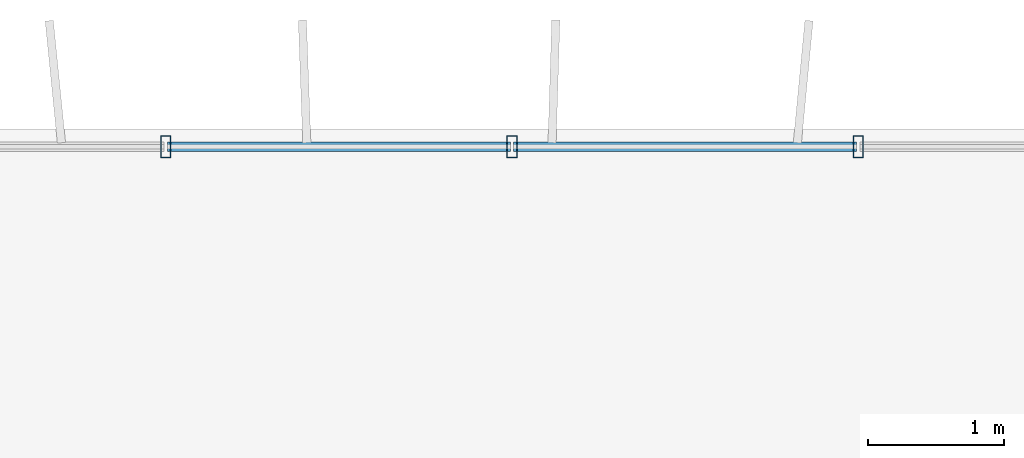
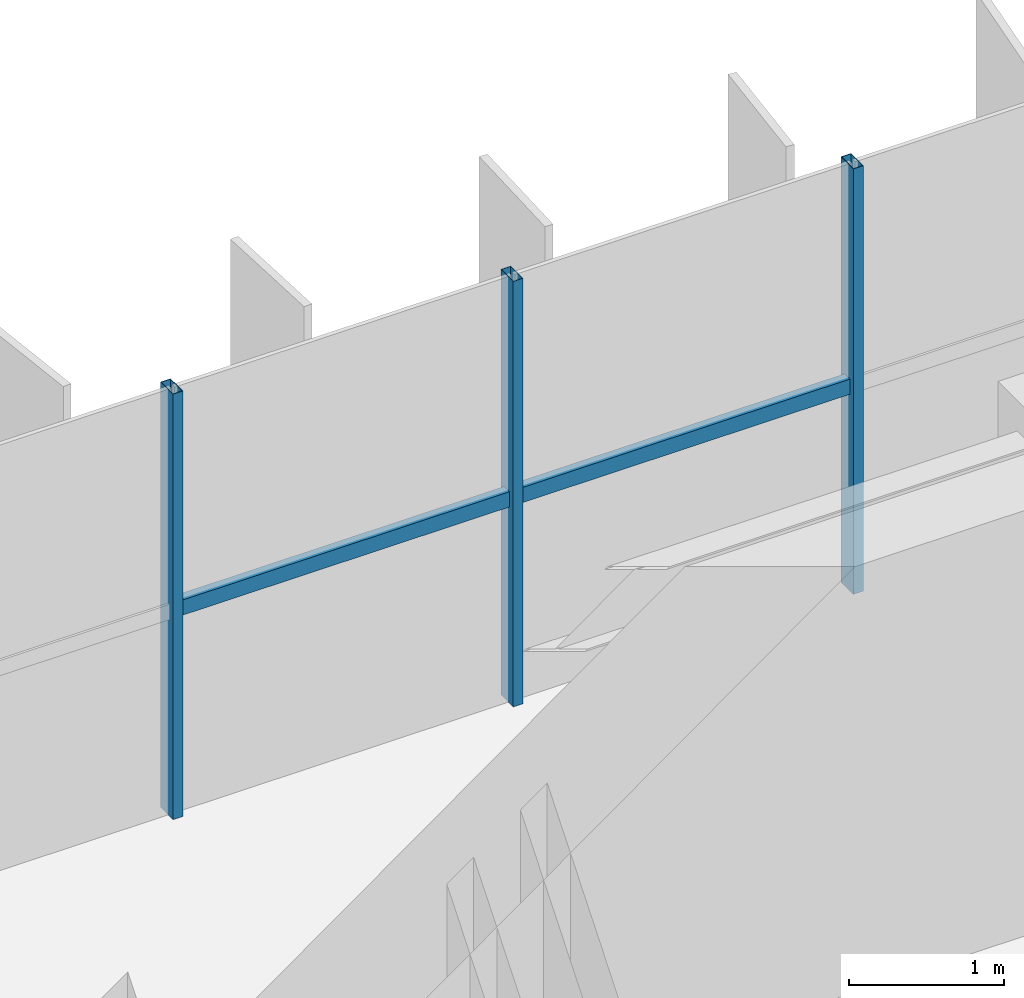
# One storey, part 8 of 23: 5 members, 1 element without a shape of its own.
"""IFC4 building model written with IfcOpenShell, lengths in metres."""

import ifcopenshell
import ifcopenshell.guid

model = None  # the IFC model being written
_history = None  # IfcOwnerHistory: only IFC2X3 demands one
_inside = {}  # id of a spatial element -> (the spatial element, [elements in it])
_under = {}  # id of a project, library or spatial element -> (it, [spatial elements below it])
_declared = {}  # id of a project -> (the project, [libraries it declares])
_typed = {}  # id of a type object -> (the type object, [elements of that type])
_made_of = {}  # id of a material, layer set ... -> (it, [elements and type objects made of it])


def new_model(schema):
    """Start an empty IFC model of exactly this schema.

    Asked for "IFC4X3", IfcOpenShell would pick the latest addendum, in which some entities
    have other attributes; the version numbers below select the first issue.
    IFC2X3 requires an IfcOwnerHistory on every rooted entity: one is made here for all.
    """
    global model, _history
    if schema == "IFC4X3":
        model = ifcopenshell.file(schema_version=(4, 3, 0, 0))
    else:
        model = ifcopenshell.file(schema=schema)
    _inside.clear()
    _under.clear()
    _declared.clear()
    _typed.clear()
    _made_of.clear()
    _history = None
    if model.schema == "IFC2X3":
        org = make("IfcOrganization", Name="unknown")
        user = make(
            "IfcPersonAndOrganization",
            ThePerson=make("IfcPerson", FamilyName="unknown"),
            TheOrganization=org,
        )
        app = make(
            "IfcApplication",
            ApplicationDeveloper=org,
            Version="unknown",
            ApplicationFullName="unknown",
            ApplicationIdentifier="unknown",
        )
        _history = make(
            "IfcOwnerHistory",
            OwningUser=user,
            OwningApplication=app,
            ChangeAction="ADDED",
            CreationDate=0,
        )
    return model


def make(cls, **values):
    """One entity of the class cls with the attributes given. An attribute that is None is left unset."""
    return model.create_entity(
        cls, **{name: value for name, value in values.items() if value is not None}
    )


def rooted(cls, **values):
    """An entity with a GlobalId (a new one), such as an element, a storey or a relation."""
    return make(cls, GlobalId=ifcopenshell.guid.new(), OwnerHistory=_history, **values)


def si_unit(unit_type, name, prefix=None):
    """IfcSIUnit, for example si_unit("LENGTHUNIT", "METRE", prefix="MILLI")."""
    return make("IfcSIUnit", UnitType=unit_type, Prefix=prefix, Name=name)


def assignment(units):
    """IfcUnitAssignment: the units of a project."""
    return None if units is None else make("IfcUnitAssignment", Units=units)


def point(xyz):
    """IfcCartesianPoint."""
    return None if xyz is None else make("IfcCartesianPoint", Coordinates=xyz)


def direction(xyz):
    """IfcDirection."""
    return None if xyz is None else make("IfcDirection", DirectionRatios=xyz)


def frame(location, z_axis=None, x_axis=None):
    """IfcAxis2Placement3D, a coordinate frame: its origin and axes. An axis left out is left unset."""
    return make(
        "IfcAxis2Placement3D",
        Location=point(location),
        Axis=direction(z_axis),
        RefDirection=direction(x_axis),
    )


def frame_2d(location, x_axis=None):
    """IfcAxis2Placement2D, a coordinate frame in the plane: its origin and x axis."""
    return make(
        "IfcAxis2Placement2D", Location=point(location), RefDirection=direction(x_axis)
    )


def origin():
    """The frame at (0, 0, 0) with its axes left unset."""
    return frame((0.0, 0.0, 0.0))


def origin_2d():
    """The frame at (0, 0) in the plane with its x axis left unset."""
    return frame_2d((0.0, 0.0))


def place(relative_to, where):
    """IfcLocalPlacement: puts the frame where relative to a parent placement (None: the world)."""
    return make(
        "IfcLocalPlacement", PlacementRelTo=relative_to, RelativePlacement=where
    )


def context(
    kind, dimensions, precision=None, world=None, true_north=None, identifier=None
):
    """IfcGeometricRepresentationContext, for example the 3D "Model" context."""
    return make(
        "IfcGeometricRepresentationContext",
        ContextIdentifier=identifier,
        ContextType=kind,
        CoordinateSpaceDimension=dimensions,
        Precision=precision,
        WorldCoordinateSystem=world,
        TrueNorth=true_north,
    )


def subcontext(parent, identifier, kind, view, scale=None):
    """IfcGeometricRepresentationSubContext, for example "Body" below "Model"."""
    return make(
        "IfcGeometricRepresentationSubContext",
        ContextIdentifier=identifier,
        ContextType=kind,
        ParentContext=parent,
        TargetScale=scale,
        TargetView=view,
    )


def project(units=None, contexts=None):
    """IfcProject with its units and contexts."""
    return rooted(
        "IfcProject",
        Name="project",
        RepresentationContexts=contexts,
        UnitsInContext=assignment(units),
    )


def spatial(cls, under=None, at=None, **own):
    """A site, building, storey or space (cls), placed at a placement, below another one or the project."""
    s = rooted(cls, ObjectPlacement=at, **own)
    if under is not None:
        _under.setdefault(under.id(), (under, []))[1].append(s)
    return s


def profile(cls, at=None, kind="AREA", **sizes):
    """A parametric profile (cls). Its sizes go by their IFC names, for example OverallWidth=200.0."""
    return make(cls, ProfileType=kind, Position=at, **sizes)


def hollow_rectangle(**sizes):
    """IfcRectangleHollowProfileDef."""
    return profile("IfcRectangleHollowProfileDef", **sizes)


def extrude(swept, where, along, depth):
    """IfcExtrudedAreaSolid: the profile swept, set in the frame where, extruded along a direction by depth."""
    return make(
        "IfcExtrudedAreaSolid",
        SweptArea=swept,
        Position=where,
        ExtrudedDirection=direction(along),
        Depth=depth,
    )


def shape(context_of_items, identifier, shape_type, items):
    """IfcShapeRepresentation: the items that make up one representation, for example the "Body"."""
    return make(
        "IfcShapeRepresentation",
        ContextOfItems=context_of_items,
        RepresentationIdentifier=identifier,
        RepresentationType=shape_type,
        Items=items,
    )


def source(mapping_origin, context_of_items, identifier, shape_type, items):
    """IfcRepresentationMap: a shape defined once, which mapped items show again and again."""
    return make(
        "IfcRepresentationMap",
        MappingOrigin=mapping_origin,
        MappedRepresentation=shape(context_of_items, identifier, shape_type, items),
    )


def transform(
    local_origin,
    x_axis=None,
    y_axis=None,
    z_axis=None,
    scale=None,
    scale2=None,
    scale3=None,
    uniform=True,
):
    """IfcCartesianTransformationOperator3D, or its non-uniform kind. x_axis, y_axis, z_axis: its Axis1, 2, 3."""
    if uniform:
        return make(
            "IfcCartesianTransformationOperator3D",
            Axis1=direction(x_axis),
            Axis2=direction(y_axis),
            LocalOrigin=point(local_origin),
            Scale=scale,
            Axis3=direction(z_axis),
        )
    return make(
        "IfcCartesianTransformationOperator3DnonUniform",
        Axis1=direction(x_axis),
        Axis2=direction(y_axis),
        LocalOrigin=point(local_origin),
        Scale=scale,
        Axis3=direction(z_axis),
        Scale2=scale2,
        Scale3=scale3,
    )


def mapped(mapping_source, mapping_target):
    """IfcMappedItem: shows the shape of a source again, moved by a transform."""
    return make(
        "IfcMappedItem", MappingSource=mapping_source, MappingTarget=mapping_target
    )


def material(Name=None, Category=None):
    """IfcMaterial."""
    return make("IfcMaterial", Name=Name, Category=Category)


def material_profile(
    of_material, cross_section, Name=None, Category=None, Priority=None
):
    """IfcMaterialProfile: a cross section and its material."""
    return make(
        "IfcMaterialProfile",
        Name=Name,
        Material=of_material,
        Profile=cross_section,
        Priority=Priority,
        Category=Category,
    )


def profile_set(profiles, Name=None, composite=None):
    """IfcMaterialProfileSet."""
    return make(
        "IfcMaterialProfileSet",
        Name=Name,
        MaterialProfiles=profiles,
        CompositeProfile=composite,
    )


def made_of(thing, what):
    """Note that an element or type object is made of a material, layer set ...; save() writes the relation."""
    if what is not None:
        _made_of.setdefault(what.id(), (what, []))[1].append(thing)
    return thing


def type_object(cls, material=None, **own):
    """A type object (cls), such as IfcWallType, which elements share."""
    return made_of(rooted(cls, **own), material)


def element(
    cls,
    number,
    at=None,
    inside=None,
    cuts=None,
    type_object=None,
    material=None,
    context=None,
    identifier="Body",
    shape_type=None,
    held_by="IfcProductDefinitionShape",
    body=None,
    shapes=None,
    **own,
):
    """One element of the class cls, such as IfcWall. Its Tag is "e" and its number.

    at: its placement. inside: the storey or other place that contains it. cuts: it is an
    opening in that element (IfcRelVoidsElement). A single representation is given by context,
    identifier, shape_type and body (its items); several are given by shapes. held_by: the class
    of the entity that holds the representations. save() writes the other relations.
    """
    e = rooted(cls, Tag="e%d" % number, ObjectPlacement=at, **own)
    if body is not None:
        shapes = [shape(context, identifier, shape_type, body)]
    if shapes is not None:
        e.Representation = make(held_by, Representations=shapes)
    if inside is not None:
        _inside.setdefault(inside.id(), (inside, []))[1].append(e)
    if cuts is not None:
        rooted(
            "IfcRelVoidsElement", RelatingBuildingElement=cuts, RelatedOpeningElement=e
        )
    if type_object is not None:
        _typed.setdefault(type_object.id(), (type_object, []))[1].append(e)
    return made_of(e, material)


def aggregate(whole, parts):
    """IfcRelAggregates: a whole, such as a stair, and the parts it consists of."""
    return rooted("IfcRelAggregates", RelatingObject=whole, RelatedObjects=parts)


def save(model, path):
    """Write the relations noted so far, then the file.

    IfcRelAggregates (storeys below a building ...), IfcRelContainedInSpatialStructure (elements
    in a storey), IfcRelDefinesByType, IfcRelAssociatesMaterial and IfcRelDeclares: one each for
    every whole, place, type object, material and project.
    """
    for whole, parts in _under.values():
        aggregate(whole, parts)
    for where, things in _inside.values():
        rooted(
            "IfcRelContainedInSpatialStructure",
            RelatedElements=things,
            RelatingStructure=where,
        )
    for kind, things in _typed.values():
        rooted("IfcRelDefinesByType", RelatedObjects=things, RelatingType=kind)
    for what, things in _made_of.values():
        rooted("IfcRelAssociatesMaterial", RelatedObjects=things, RelatingMaterial=what)
    for by, libraries in _declared.values():
        rooted("IfcRelDeclares", RelatingContext=by, RelatedDefinitions=libraries)
    model.write(path)


model = new_model("IFC4")

# Units and contexts
model_context = context("Model", 3, precision=1e-05, world=origin(), true_north=direction((0.0, 1.0)))
body_context = subcontext(model_context, "Body", "Model", "MODEL_VIEW")
ifc_project = project(units=[si_unit("LENGTHUNIT", "METRE"), si_unit("AREAUNIT", "SQUARE_METRE"), si_unit("VOLUMEUNIT", "CUBIC_METRE"), si_unit("PLANEANGLEUNIT", "RADIAN"), si_unit("MASSUNIT", "GRAM", prefix="KILO")], contexts=[model_context])

# Site, building, storey
site_placement = place(None, origin())
site = spatial("IfcSite", under=ifc_project, at=site_placement, CompositionType="ELEMENT")
building_placement = place(site_placement, origin())
building = spatial("IfcBuilding", under=site, at=building_placement, Name="Trelvane Seafront Commons", CompositionType="ELEMENT")
storey_placement = place(building_placement, frame((0.0, 0.0, 208.5)))
storey = spatial("IfcBuildingStorey", under=building, at=storey_placement, Name="L54", CompositionType="ELEMENT", Elevation=208.5)

# Curtain wall, members
ifc_material = material(Name="Anodised pale-silver aluminium", Category="aluminium")
curtain_wall_type = type_object("IfcCurtainWallType", Name="ARCH-CW5-UPTOWER", PredefinedType="NOTDEFINED", material=ifc_material)
curtain_wall_placement = place(storey_placement, origin())
curtain_wall = element("IfcCurtainWall", 1, at=curtain_wall_placement, inside=storey, type_object=curtain_wall_type, Name="CW-L54-0097", PredefinedType="NOTDEFINED")
ifc_material_profile_1 = material_profile(ifc_material, hollow_rectangle(XDim=0.070068359375, YDim=0.1201171875, WallThickness=0.00390625, at=origin_2d()), Name="TRAN-70x120x4")
ifc_profile_set_1 = profile_set([ifc_material_profile_1], Name="Anodised pale-silver aluminium")
member_type_1 = type_object("IfcMemberType", Name="ARCH-CW-TRAN-120", PredefinedType="USERDEFINED", material=ifc_profile_set_1)
shared_shape_1 = source(origin(), body_context, "Body", "SweptSolid", [
    extrude(hollow_rectangle(XDim=0.070068359375, YDim=0.1201171875, WallThickness=0.00390625, at=origin_2d()), origin(), (0.0, 0.0, 1.0), 2.517333984375),
])
member_1_placement = place(storey_placement, frame((25.776611328125, 48.3701171875, 1.613037109375), z_axis=(1.0, 0.0, 0.0), x_axis=(0.0, 1.0, 0.0)))
member_1 = element("IfcMember", 2, at=member_1_placement, type_object=member_type_1, Name="CW-L54-0097-T04", ObjectType="TRANSOM", PredefinedType="USERDEFINED", context=body_context, shape_type="MappedRepresentation", body=[
    mapped(shared_shape_1, transform((0.0, 0.0, 0.0), x_axis=(1.0, 0.0, 0.0), y_axis=(0.0, 1.0, 0.0), z_axis=(0.0, 0.0, 1.0), scale=1.0)),
])
member_2_placement = place(storey_placement, frame((28.31787109375, 48.3701171875, 1.613037109375), z_axis=(1.0, 0.0, 0.0), x_axis=(0.0, 1.0, 0.0)))
member_2 = element("IfcMember", 3, at=member_2_placement, type_object=member_type_1, Name="CW-L54-0097-T05", ObjectType="TRANSOM", PredefinedType="USERDEFINED", context=body_context, shape_type="MappedRepresentation", body=[
    mapped(shared_shape_1, transform((0.0, 0.0, 0.0), x_axis=(1.0, 0.0, 0.0), y_axis=(0.0, 1.0, 0.0), z_axis=(0.0, 0.0, 1.0), scale=1.0)),
])
ifc_material_profile_2 = material_profile(ifc_material, hollow_rectangle(XDim=0.074951171875, YDim=0.159912109375, WallThickness=0.00390625, at=origin_2d()), Name="MULL-75x160x4")
ifc_profile_set_2 = profile_set([ifc_material_profile_2], Name="Anodised pale-silver aluminium")
member_type_2 = type_object("IfcMemberType", Name="ARCH-CW-MULL-160", PredefinedType="MULLION", material=ifc_profile_set_2)
shared_shape_2 = source(origin(), body_context, "Body", "SweptSolid", [
    extrude(hollow_rectangle(XDim=0.074951171875, YDim=0.159912109375, WallThickness=0.00390625, at=origin_2d()), origin(), (0.0, 0.0, 1.0), 3.360107421875),
])
member_3_placement = place(storey_placement, frame((25.7646484375, 48.3701171875, 0.0), z_axis=(0.0, 0.0, 1.0), x_axis=(1.0, 0.0, 0.0)))
member_3 = element("IfcMember", 4, at=member_3_placement, type_object=member_type_2, Name="CW-L54-0097-M04", PredefinedType="MULLION", context=body_context, shape_type="MappedRepresentation", body=[
    mapped(shared_shape_2, transform((0.0, 0.0, 0.0), x_axis=(1.0, 0.0, 0.0), y_axis=(0.0, 1.0, 0.0), z_axis=(0.0, 0.0, 1.0), scale=1.0)),
])
member_4_placement = place(storey_placement, frame((28.305908203125, 48.3701171875, 0.0), z_axis=(0.0, 0.0, 1.0), x_axis=(1.0, 0.0, 0.0)))
member_4 = element("IfcMember", 5, at=member_4_placement, type_object=member_type_2, Name="CW-L54-0097-M05", PredefinedType="MULLION", context=body_context, shape_type="MappedRepresentation", body=[
    mapped(shared_shape_2, transform((0.0, 0.0, 0.0), x_axis=(1.0, 0.0, 0.0), y_axis=(0.0, 1.0, 0.0), z_axis=(0.0, 0.0, 1.0), scale=1.0)),
])
member_5_placement = place(storey_placement, frame((30.84716796875, 48.3701171875, 0.0), z_axis=(0.0, 0.0, 1.0), x_axis=(1.0, 0.0, 0.0)))
member_5 = element("IfcMember", 6, at=member_5_placement, type_object=member_type_2, Name="CW-L54-0097-M06", PredefinedType="MULLION", context=body_context, shape_type="MappedRepresentation", body=[
    mapped(shared_shape_2, transform((0.0, 0.0, 0.0), x_axis=(1.0, 0.0, 0.0), y_axis=(0.0, 1.0, 0.0), z_axis=(0.0, 0.0, 1.0), scale=1.0)),
])
aggregate(curtain_wall, [member_3, member_4, member_5, member_1, member_2])

save(model, "model.ifc")
